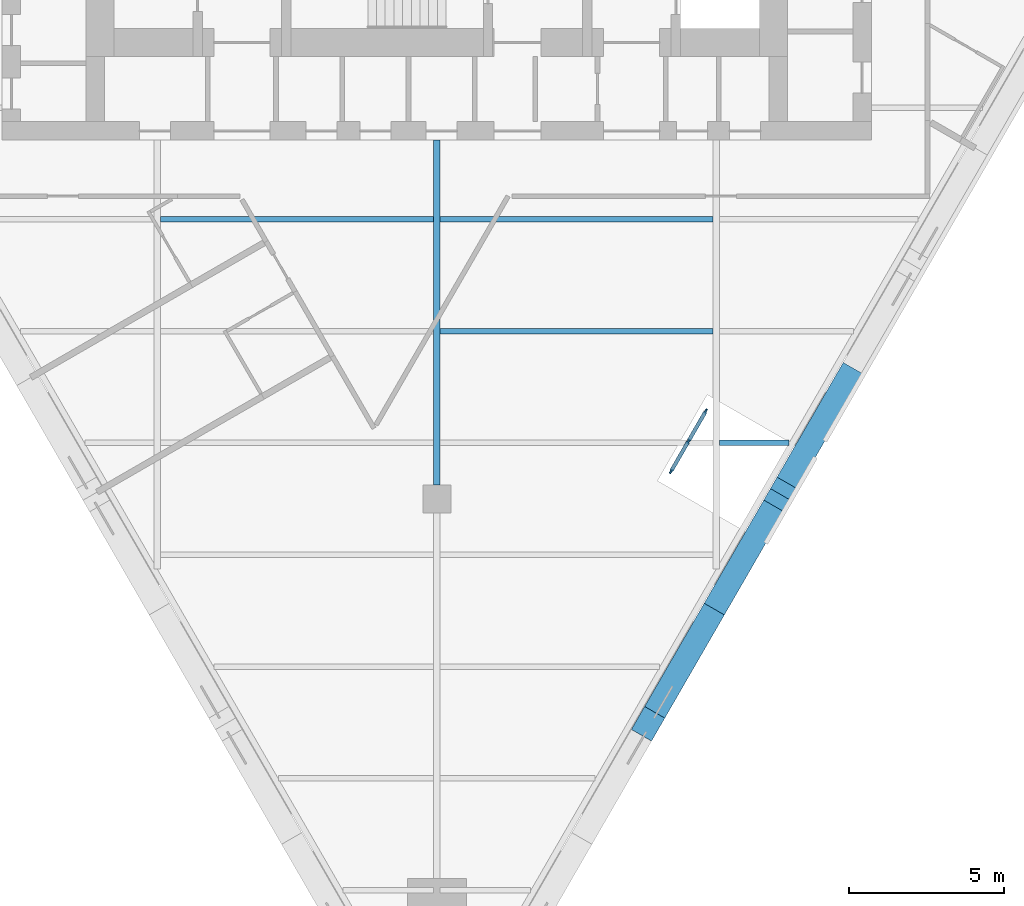
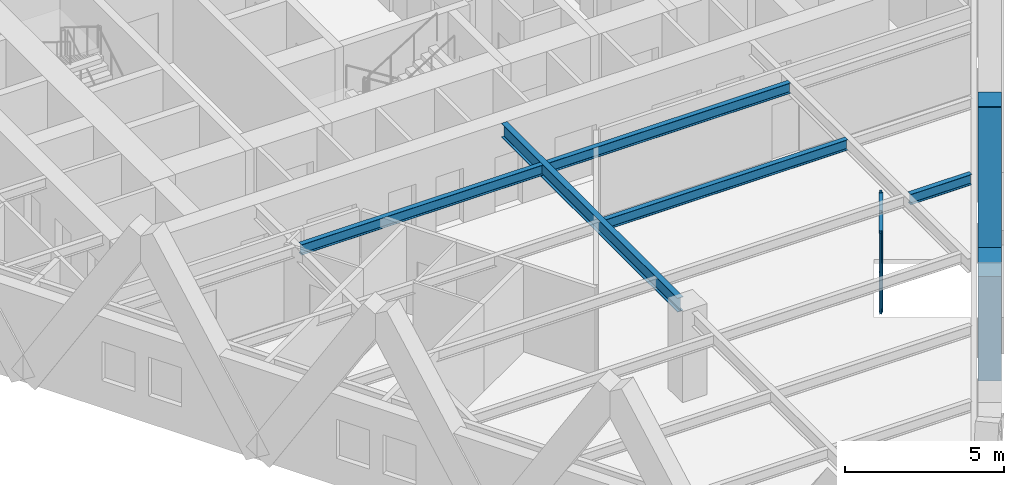
# One storey, part 2 of 10: 12 members, 5 beams, 1 element without a shape of its own.
"""IFC4 building model written with IfcOpenShell, lengths in metres."""

import ifcopenshell
import ifcopenshell.guid

model = None  # the IFC model being written
_history = None  # IfcOwnerHistory: only IFC2X3 demands one
_inside = {}  # id of a spatial element -> (the spatial element, [elements in it])
_under = {}  # id of a project, library or spatial element -> (it, [spatial elements below it])
_declared = {}  # id of a project -> (the project, [libraries it declares])
_typed = {}  # id of a type object -> (the type object, [elements of that type])
_made_of = {}  # id of a material, layer set ... -> (it, [elements and type objects made of it])


def new_model(schema):
    """Start an empty IFC model of exactly this schema.

    Asked for "IFC4X3", IfcOpenShell would pick the latest addendum, in which some entities
    have other attributes; the version numbers below select the first issue.
    IFC2X3 requires an IfcOwnerHistory on every rooted entity: one is made here for all.
    """
    global model, _history
    if schema == "IFC4X3":
        model = ifcopenshell.file(schema_version=(4, 3, 0, 0))
    else:
        model = ifcopenshell.file(schema=schema)
    _inside.clear()
    _under.clear()
    _declared.clear()
    _typed.clear()
    _made_of.clear()
    _history = None
    if model.schema == "IFC2X3":
        org = make("IfcOrganization", Name="unknown")
        user = make(
            "IfcPersonAndOrganization",
            ThePerson=make("IfcPerson", FamilyName="unknown"),
            TheOrganization=org,
        )
        app = make(
            "IfcApplication",
            ApplicationDeveloper=org,
            Version="unknown",
            ApplicationFullName="unknown",
            ApplicationIdentifier="unknown",
        )
        _history = make(
            "IfcOwnerHistory",
            OwningUser=user,
            OwningApplication=app,
            ChangeAction="ADDED",
            CreationDate=0,
        )
    return model


def make(cls, **values):
    """One entity of the class cls with the attributes given. An attribute that is None is left unset."""
    return model.create_entity(
        cls, **{name: value for name, value in values.items() if value is not None}
    )


def rooted(cls, **values):
    """An entity with a GlobalId (a new one), such as an element, a storey or a relation."""
    return make(cls, GlobalId=ifcopenshell.guid.new(), OwnerHistory=_history, **values)


def si_unit(unit_type, name, prefix=None):
    """IfcSIUnit, for example si_unit("LENGTHUNIT", "METRE", prefix="MILLI")."""
    return make("IfcSIUnit", UnitType=unit_type, Prefix=prefix, Name=name)


def assignment(units):
    """IfcUnitAssignment: the units of a project."""
    return None if units is None else make("IfcUnitAssignment", Units=units)


def point(xyz):
    """IfcCartesianPoint."""
    return None if xyz is None else make("IfcCartesianPoint", Coordinates=xyz)


def direction(xyz):
    """IfcDirection."""
    return None if xyz is None else make("IfcDirection", DirectionRatios=xyz)


def frame(location, z_axis=None, x_axis=None):
    """IfcAxis2Placement3D, a coordinate frame: its origin and axes. An axis left out is left unset."""
    return make(
        "IfcAxis2Placement3D",
        Location=point(location),
        Axis=direction(z_axis),
        RefDirection=direction(x_axis),
    )


def frame_2d(location, x_axis=None):
    """IfcAxis2Placement2D, a coordinate frame in the plane: its origin and x axis."""
    return make(
        "IfcAxis2Placement2D", Location=point(location), RefDirection=direction(x_axis)
    )


def origin():
    """The frame at (0, 0, 0) with its axes left unset."""
    return frame((0.0, 0.0, 0.0))


def origin_2d():
    """The frame at (0, 0) in the plane with its x axis left unset."""
    return frame_2d((0.0, 0.0))


def place(relative_to, where):
    """IfcLocalPlacement: puts the frame where relative to a parent placement (None: the world)."""
    return make(
        "IfcLocalPlacement", PlacementRelTo=relative_to, RelativePlacement=where
    )


def context(
    kind, dimensions, precision=None, world=None, true_north=None, identifier=None
):
    """IfcGeometricRepresentationContext, for example the 3D "Model" context."""
    return make(
        "IfcGeometricRepresentationContext",
        ContextIdentifier=identifier,
        ContextType=kind,
        CoordinateSpaceDimension=dimensions,
        Precision=precision,
        WorldCoordinateSystem=world,
        TrueNorth=true_north,
    )


def subcontext(parent, identifier, kind, view, scale=None):
    """IfcGeometricRepresentationSubContext, for example "Body" below "Model"."""
    return make(
        "IfcGeometricRepresentationSubContext",
        ContextIdentifier=identifier,
        ContextType=kind,
        ParentContext=parent,
        TargetScale=scale,
        TargetView=view,
    )


def project(units=None, contexts=None):
    """IfcProject with its units and contexts."""
    return rooted(
        "IfcProject",
        Name="project",
        RepresentationContexts=contexts,
        UnitsInContext=assignment(units),
    )


def spatial(cls, under=None, at=None, **own):
    """A site, building, storey or space (cls), placed at a placement, below another one or the project."""
    s = rooted(cls, ObjectPlacement=at, **own)
    if under is not None:
        _under.setdefault(under.id(), (under, []))[1].append(s)
    return s


def profile(cls, at=None, kind="AREA", **sizes):
    """A parametric profile (cls). Its sizes go by their IFC names, for example OverallWidth=200.0."""
    return make(cls, ProfileType=kind, Position=at, **sizes)


def rectangle(**sizes):
    """IfcRectangleProfileDef."""
    return profile("IfcRectangleProfileDef", **sizes)


def i_section(**sizes):
    """IfcIShapeProfileDef."""
    return profile("IfcIShapeProfileDef", **sizes)


def extrude(swept, where, along, depth):
    """IfcExtrudedAreaSolid: the profile swept, set in the frame where, extruded along a direction by depth."""
    return make(
        "IfcExtrudedAreaSolid",
        SweptArea=swept,
        Position=where,
        ExtrudedDirection=direction(along),
        Depth=depth,
    )


def shape(context_of_items, identifier, shape_type, items):
    """IfcShapeRepresentation: the items that make up one representation, for example the "Body"."""
    return make(
        "IfcShapeRepresentation",
        ContextOfItems=context_of_items,
        RepresentationIdentifier=identifier,
        RepresentationType=shape_type,
        Items=items,
    )


def material(Name=None, Category=None):
    """IfcMaterial."""
    return make("IfcMaterial", Name=Name, Category=Category)


def material_profile(
    of_material, cross_section, Name=None, Category=None, Priority=None
):
    """IfcMaterialProfile: a cross section and its material."""
    return make(
        "IfcMaterialProfile",
        Name=Name,
        Material=of_material,
        Profile=cross_section,
        Priority=Priority,
        Category=Category,
    )


def profile_set(profiles, Name=None, composite=None):
    """IfcMaterialProfileSet."""
    return make(
        "IfcMaterialProfileSet",
        Name=Name,
        MaterialProfiles=profiles,
        CompositeProfile=composite,
    )


def made_of(thing, what):
    """Note that an element or type object is made of a material, layer set ...; save() writes the relation."""
    if what is not None:
        _made_of.setdefault(what.id(), (what, []))[1].append(thing)
    return thing


def type_object(cls, material=None, **own):
    """A type object (cls), such as IfcWallType, which elements share."""
    return made_of(rooted(cls, **own), material)


def element(
    cls,
    number,
    at=None,
    inside=None,
    cuts=None,
    type_object=None,
    material=None,
    context=None,
    identifier="Body",
    shape_type=None,
    held_by="IfcProductDefinitionShape",
    body=None,
    shapes=None,
    **own,
):
    """One element of the class cls, such as IfcWall. Its Tag is "e" and its number.

    at: its placement. inside: the storey or other place that contains it. cuts: it is an
    opening in that element (IfcRelVoidsElement). A single representation is given by context,
    identifier, shape_type and body (its items); several are given by shapes. held_by: the class
    of the entity that holds the representations. save() writes the other relations.
    """
    e = rooted(cls, Tag="e%d" % number, ObjectPlacement=at, **own)
    if body is not None:
        shapes = [shape(context, identifier, shape_type, body)]
    if shapes is not None:
        e.Representation = make(held_by, Representations=shapes)
    if inside is not None:
        _inside.setdefault(inside.id(), (inside, []))[1].append(e)
    if cuts is not None:
        rooted(
            "IfcRelVoidsElement", RelatingBuildingElement=cuts, RelatedOpeningElement=e
        )
    if type_object is not None:
        _typed.setdefault(type_object.id(), (type_object, []))[1].append(e)
    return made_of(e, material)


def aggregate(whole, parts):
    """IfcRelAggregates: a whole, such as a stair, and the parts it consists of."""
    return rooted("IfcRelAggregates", RelatingObject=whole, RelatedObjects=parts)


def save(model, path):
    """Write the relations noted so far, then the file.

    IfcRelAggregates (storeys below a building ...), IfcRelContainedInSpatialStructure (elements
    in a storey), IfcRelDefinesByType, IfcRelAssociatesMaterial and IfcRelDeclares: one each for
    every whole, place, type object, material and project.
    """
    for whole, parts in _under.values():
        aggregate(whole, parts)
    for where, things in _inside.values():
        rooted(
            "IfcRelContainedInSpatialStructure",
            RelatedElements=things,
            RelatingStructure=where,
        )
    for kind, things in _typed.values():
        rooted("IfcRelDefinesByType", RelatedObjects=things, RelatingType=kind)
    for what, things in _made_of.values():
        rooted("IfcRelAssociatesMaterial", RelatedObjects=things, RelatingMaterial=what)
    for by, libraries in _declared.values():
        rooted("IfcRelDeclares", RelatingContext=by, RelatedDefinitions=libraries)
    model.write(path)


model = new_model("IFC4")

# Units and contexts
model_context = context("Model", 3, precision=1e-05, world=origin(), true_north=direction((0.0, 1.0)))
body_context = subcontext(model_context, "Body", "Model", "MODEL_VIEW")
ifc_project = project(units=[si_unit("LENGTHUNIT", "METRE"), si_unit("AREAUNIT", "SQUARE_METRE"), si_unit("VOLUMEUNIT", "CUBIC_METRE"), si_unit("PLANEANGLEUNIT", "RADIAN"), si_unit("MASSUNIT", "GRAM", prefix="KILO")], contexts=[model_context])

# Site, building, storey
site_placement = place(None, origin())
site = spatial("IfcSite", under=ifc_project, at=site_placement, CompositionType="ELEMENT")
building_placement = place(site_placement, origin())
building = spatial("IfcBuilding", under=site, at=building_placement, Name="Aloe Facet Convention Tower", CompositionType="ELEMENT")
storey_placement = place(building_placement, frame((0.0, 0.0, 116.800048828125)))
storey = spatial("IfcBuildingStorey", under=building, at=storey_placement, Name="L29", CompositionType="ELEMENT", Elevation=116.800048828125)

# Curtain wall, members
ifc_material_1 = material(Name="Aluminium, anodised", Category="aluminium")
curtain_wall_type = type_object("IfcCurtainWallType", Name="EV-CW-TERRACE", PredefinedType="USERDEFINED", material=ifc_material_1)
curtain_wall_placement = place(storey_placement, origin())
curtain_wall = element("IfcCurtainWall", 1, at=curtain_wall_placement, inside=storey, type_object=curtain_wall_type, Name="CW-T06", ObjectType="TERRACE BACK GLAZING", PredefinedType="USERDEFINED")
ifc_material_2 = material(Name="Aluminium, anodised", Category="aluminium")
ifc_material_profile_1 = material_profile(ifc_material_2, rectangle(XDim=0.06005859375, YDim=0.14990234375, at=origin_2d()), Name="AL 60x150")
ifc_profile_set_1 = profile_set([ifc_material_profile_1], Name="Aluminium, anodised")
member_type_1 = type_object("IfcMemberType", Name="EV-MULL-TERRACE", PredefinedType="MULLION", material=ifc_profile_set_1)
member_1_placement = place(storey_placement, frame((87.542724609375, 108.884765625, -0.150146484375), z_axis=(0.0, 0.0, 1.0), x_axis=(-0.866025403819, 0.49999999994, 0.0)))
member_1 = element("IfcMember", 2, at=member_1_placement, type_object=member_type_1, Name="CW-T06 mullion 1", PredefinedType="MULLION", context=body_context, shape_type="SweptSolid", body=[
    extrude(rectangle(XDim=0.06005859375, YDim=0.14990234375, at=origin_2d()), origin(), (0.0, 0.0, 1.0), 3.097412109375),
])
member_2_placement = place(storey_placement, frame((88.102783203125, 109.854736328125, -0.150146484375), z_axis=(0.0, 0.0, 1.0), x_axis=(-0.866025403819, 0.49999999994, 0.0)))
member_2 = element("IfcMember", 3, at=member_2_placement, type_object=member_type_1, Name="CW-T06 mullion 2", PredefinedType="MULLION", context=body_context, shape_type="SweptSolid", body=[
    extrude(rectangle(XDim=0.06005859375, YDim=0.14990234375, at=origin_2d()), origin(), (0.0, 0.0, 1.0), 3.097412109375),
])
member_3_placement = place(storey_placement, frame((88.66259765625, 110.82470703125, -0.150146484375), z_axis=(0.0, 0.0, 1.0), x_axis=(-0.866025403819, 0.49999999994, 0.0)))
member_3 = element("IfcMember", 4, at=member_3_placement, type_object=member_type_1, Name="CW-T06 mullion 3", PredefinedType="MULLION", context=body_context, shape_type="SweptSolid", body=[
    extrude(rectangle(XDim=0.06005859375, YDim=0.14990234375, at=origin_2d()), origin(), (0.0, 0.0, 1.0), 3.097412109375),
])
ifc_material_3 = material(Name="Aluminium, anodised", Category="aluminium")
ifc_material_profile_2 = material_profile(ifc_material_3, rectangle(XDim=0.1201171875, YDim=0.06005859375, at=origin_2d()), Name="AL 120x60")
ifc_profile_set_2 = profile_set([ifc_material_profile_2], Name="Aluminium, anodised")
member_type_2 = type_object("IfcMemberType", Name="EV-TRAN-TERRACE", PredefinedType="USERDEFINED", material=ifc_profile_set_2)
member_4_placement = place(storey_placement, frame((87.5576171875, 108.910888671875, -0.1201171875), z_axis=(0.50002815445, 0.866009148195, 0.0), x_axis=(-0.866009148195, 0.50002815445, 0.0)))
member_4 = element("IfcMember", 5, at=member_4_placement, type_object=member_type_2, Name="CW-T06 transom 1.1", ObjectType="TRANSOM", PredefinedType="USERDEFINED", context=body_context, shape_type="SweptSolid", body=[
    extrude(rectangle(XDim=0.1201171875, YDim=0.06005859375, at=origin_2d()), origin(), (0.0, 0.0, 1.0), 1.06005859375),
])
member_5_placement = place(storey_placement, frame((87.5576171875, 108.910888671875, 1.398681640625), z_axis=(0.50002815445, 0.866009148195, 0.0), x_axis=(-0.866009148195, 0.50002815445, 0.0)))
member_5 = element("IfcMember", 6, at=member_5_placement, type_object=member_type_2, Name="CW-T06 transom 1.2", ObjectType="TRANSOM", PredefinedType="USERDEFINED", context=body_context, shape_type="SweptSolid", body=[
    extrude(rectangle(XDim=0.1201171875, YDim=0.06005859375, at=origin_2d()), origin(), (0.0, 0.0, 1.0), 1.06005859375),
])
member_6_placement = place(storey_placement, frame((87.5576171875, 108.910888671875, 2.917236328125), z_axis=(0.50002815445, 0.866009148195, 0.0), x_axis=(-0.866009148195, 0.50002815445, 0.0)))
member_6 = element("IfcMember", 7, at=member_6_placement, type_object=member_type_2, Name="CW-T06 transom 1.3", ObjectType="TRANSOM", PredefinedType="USERDEFINED", context=body_context, shape_type="SweptSolid", body=[
    extrude(rectangle(XDim=0.1201171875, YDim=0.06005859375, at=origin_2d()), origin(), (0.0, 0.0, 1.0), 1.06005859375),
])
member_7_placement = place(storey_placement, frame((88.11767578125, 109.880859375, -0.1201171875), z_axis=(0.50002815445, 0.866009148195, 0.0), x_axis=(-0.866009148195, 0.50002815445, 0.0)))
member_7 = element("IfcMember", 8, at=member_7_placement, type_object=member_type_2, Name="CW-T06 transom 2.1", ObjectType="TRANSOM", PredefinedType="USERDEFINED", context=body_context, shape_type="SweptSolid", body=[
    extrude(rectangle(XDim=0.1201171875, YDim=0.06005859375, at=origin_2d()), origin(), (0.0, 0.0, 1.0), 1.06005859375),
])
member_8_placement = place(storey_placement, frame((88.11767578125, 109.880859375, 1.398681640625), z_axis=(0.50002815445, 0.866009148195, 0.0), x_axis=(-0.866009148195, 0.50002815445, 0.0)))
member_8 = element("IfcMember", 9, at=member_8_placement, type_object=member_type_2, Name="CW-T06 transom 2.2", ObjectType="TRANSOM", PredefinedType="USERDEFINED", context=body_context, shape_type="SweptSolid", body=[
    extrude(rectangle(XDim=0.1201171875, YDim=0.06005859375, at=origin_2d()), origin(), (0.0, 0.0, 1.0), 1.06005859375),
])
member_9_placement = place(storey_placement, frame((88.11767578125, 109.880859375, 2.917236328125), z_axis=(0.50002815445, 0.866009148195, 0.0), x_axis=(-0.866009148195, 0.50002815445, 0.0)))
member_9 = element("IfcMember", 10, at=member_9_placement, type_object=member_type_2, Name="CW-T06 transom 2.3", ObjectType="TRANSOM", PredefinedType="USERDEFINED", context=body_context, shape_type="SweptSolid", body=[
    extrude(rectangle(XDim=0.1201171875, YDim=0.06005859375, at=origin_2d()), origin(), (0.0, 0.0, 1.0), 1.06005859375),
])
aggregate(curtain_wall, [member_1, member_2, member_3, member_4, member_5, member_6, member_7, member_8, member_9])

# Beams
ifc_material_4 = material(Name="Steel S355", Category="steel")
ifc_material_profile_3 = material_profile(ifc_material_4, i_section(OverallWidth=0.177734375, OverallDepth=0.402587890625, WebThickness=0.0078125, FlangeThickness=0.010986328125, FilletRadius=0.01025390625, at=origin_2d()), Name="UB 406x178x54")
ifc_profile_set_3 = profile_set([ifc_material_profile_3], Name="Steel S355")
beam_type_1 = type_object("IfcBeamType", Name="SF-B-UB406x178x54", PredefinedType="BEAM", material=ifc_profile_set_3)
for number, where, z_axis, x_axis, name in (
    (11, (71.10546875, 117.0, 3.148681640625), (1.0, 0.0, 0.0), (0.0, 1.0, 0.0), "Floor beam FB-Z2B-023"),
    (12, (80.10546875, 113.39990234375, 3.148681640625), (1.0, 0.0, 0.0), (0.0, 1.0, 0.0), "Floor beam FB-Z2B-032"),
    (13, (80.10546875, 117.0, 3.148681640625), (1.0, 0.0, 0.0), (0.0, 1.0, 0.0), "Floor beam FB-Z2B-033"),
):
    element("IfcBeam", number, at=place(storey_placement, frame(where, z_axis=z_axis, x_axis=x_axis)), inside=storey, type_object=beam_type_1, Name=name, PredefinedType="BEAM", context=body_context, shape_type="SweptSolid", body=[
        extrude(i_section(OverallWidth=0.177734375, OverallDepth=0.402587890625, WebThickness=0.0078125, FlangeThickness=0.010986328125, FilletRadius=0.01025390625, at=origin_2d()), origin(), (0.0, 0.0, 1.0), 8.7890625),
    ])
beam_1_placement = place(storey_placement, frame((89.10546875, 109.800048828125, 3.148681640625), z_axis=(1.0, 0.0, 0.0), x_axis=(0.0, 1.0, 0.0)))
element("IfcBeam", 14, at=beam_1_placement, inside=storey, type_object=beam_type_1, Name="Floor beam FB-Z2B-034", PredefinedType="BEAM", context=body_context, shape_type="SweptSolid", body=[
    extrude(i_section(OverallWidth=0.177734375, OverallDepth=0.402587890625, WebThickness=0.0078125, FlangeThickness=0.010986328125, FilletRadius=0.01025390625, at=origin_2d()), origin(), (0.0, 0.0, 1.0), 2.229248046875),
])
ifc_material_5 = material(Name="Steel S355", Category="steel")
ifc_material_profile_4 = material_profile(ifc_material_5, i_section(OverallWidth=0.210693359375, OverallDepth=0.53955078125, WebThickness=0.01171875, FlangeThickness=0.018798828125, FilletRadius=0.0126953125, at=origin_2d()), Name="UB 533x210x109")
ifc_profile_set_4 = profile_set([ifc_material_profile_4], Name="Steel S355")
beam_type_2 = type_object("IfcBeamType", Name="SF-B-UB533x210x109", PredefinedType="BEAM", material=ifc_profile_set_4)
beam_2_placement = place(storey_placement, frame((80.0, 119.550048828125, 3.080078125), z_axis=(0.0, -1.0, 0.0), x_axis=(1.0, 0.0, 0.0)))
element("IfcBeam", 15, at=beam_2_placement, inside=storey, type_object=beam_type_2, Name="Floor beam FB-Z2B-011", PredefinedType="BEAM", context=body_context, shape_type="SweptSolid", body=[
    extrude(i_section(OverallWidth=0.210693359375, OverallDepth=0.53955078125, WebThickness=0.01171875, FlangeThickness=0.018798828125, FilletRadius=0.0126953125, at=origin_2d()), origin(), (0.0, 0.0, 1.0), 11.10009765625),
])

# Members
ifc_material_6 = material(Name="Concrete C60/75, bronze oxide finish", Category="concrete")
ifc_material_profile_5 = material_profile(ifc_material_6, rectangle(XDim=0.75, YDim=1.0, at=origin_2d()), Name="STW-LM")
ifc_profile_set_5 = profile_set([ifc_material_profile_5], Name="Concrete C60/75, bronze oxide finish")
member_type_3 = type_object("IfcMemberType", Name="STW-LM", PredefinedType="BRACE", material=ifc_profile_set_5)
for number, where, z_axis, x_axis, name in (
    (16, (88.936767578125, 104.44921875, 0.0), (-0.260147691546, -0.450537437867, 0.854013580491), (0.866000615939, -0.500042931351, 0.0), "Lattice member LM-Z2-F3-R5-03"),
    (17, (88.936767578125, 104.44921875, 0.0), (0.260116430601, 0.450564668007, 0.854008736768), (-0.866039720501, 0.4999752019, 0.0), "Lattice member LM-Z2-F3-R5-04"),
    (18, (93.200927734375, 111.835205078125, 0.0), (-0.26011992139, -0.45054092877, 0.854020197653), (0.866025408043, -0.499999992624, 0.0), "Lattice member LM-Z2-F3-R5-05"),
):
    element("IfcMember", number, at=place(storey_placement, frame(where, z_axis=z_axis, x_axis=x_axis)), inside=storey, type_object=member_type_3, Name=name, PredefinedType="BRACE", context=body_context, shape_type="SweptSolid", body=[
        extrude(rectangle(XDim=0.75, YDim=1.0, at=origin_2d()), origin(), (0.0, 0.0, 1.0), 8.196533203125),
    ])

save(model, "model.ifc")
